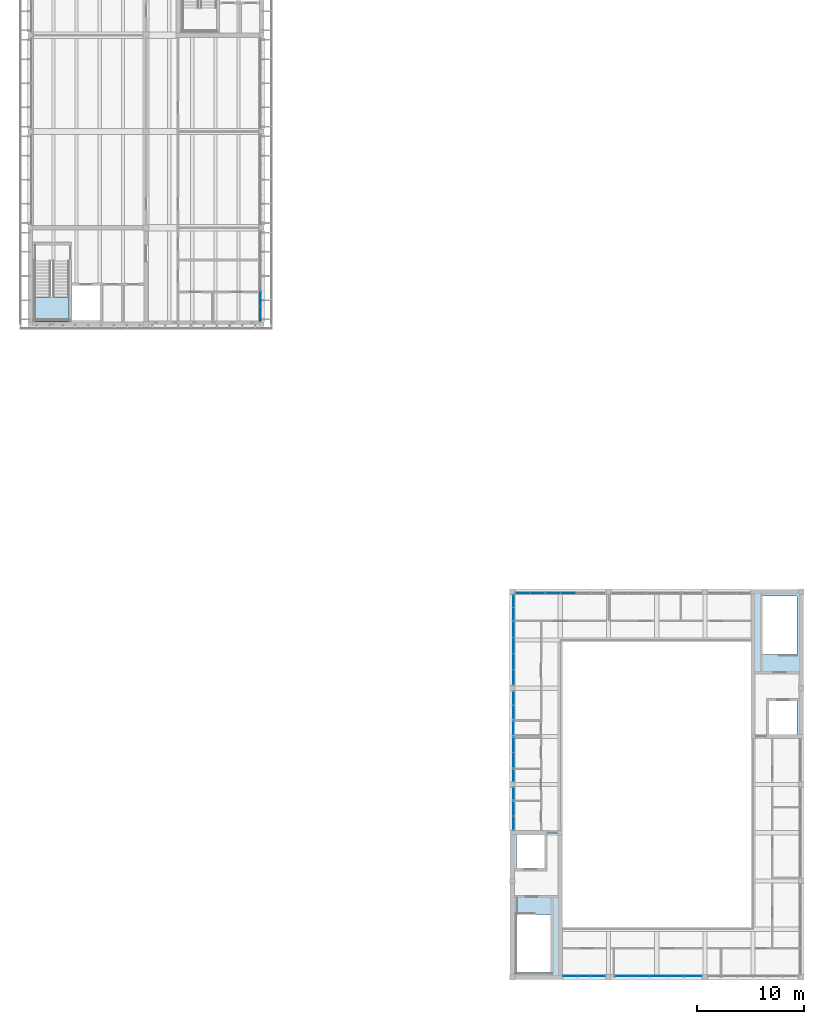
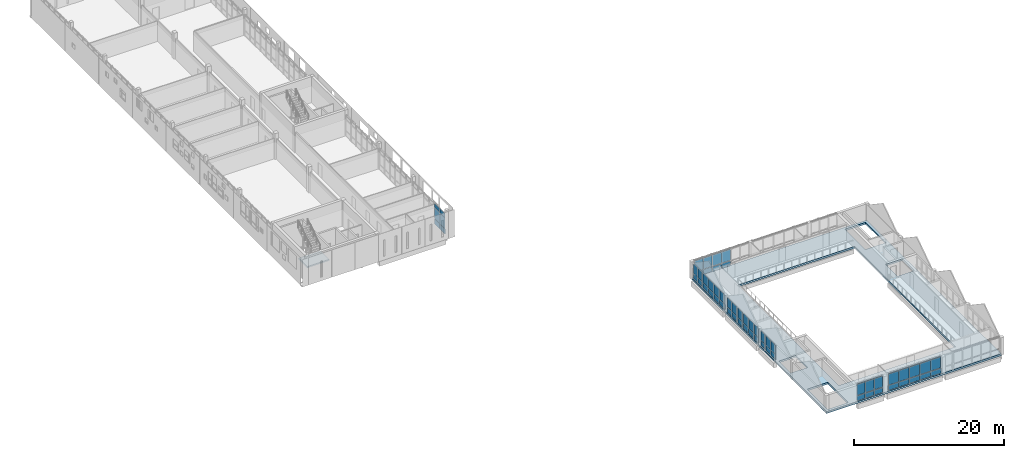
# One storey, part 21 of 50: 60 plates, 2 slabs, 13 elements without a shape of their own.
"""IFC4 building model written with IfcOpenShell, lengths in metres."""

from ifc_helpers import new_model, si_unit, direction, frame, origin, origin_2d, place, context, subcontext, project, spatial, polyline, rectangle, outline, extrude, material, layer, layer_set, type_object, element, aggregate, save


model = new_model("IFC4")

# Units and contexts
model_context = context("Model", 3, precision=1e-05, world=origin(), true_north=direction((0.0, 1.0)))
body_context = subcontext(model_context, "Body", "Model", "MODEL_VIEW")
ifc_project = project(units=[si_unit("LENGTHUNIT", "METRE"), si_unit("AREAUNIT", "SQUARE_METRE"), si_unit("VOLUMEUNIT", "CUBIC_METRE"), si_unit("PLANEANGLEUNIT", "RADIAN"), si_unit("MASSUNIT", "GRAM", prefix="KILO")], contexts=[model_context])

# Site, building, storey
site_placement = place(None, origin())
site = spatial("IfcSite", under=ifc_project, at=site_placement, CompositionType="ELEMENT")
building_placement = place(site_placement, origin())
building = spatial("IfcBuilding", under=site, at=building_placement, Name="Merrow Basin Faculty of Sciences", CompositionType="ELEMENT")
storey_placement = place(building_placement, frame((0.0, 0.0, 18.0)))
storey = spatial("IfcBuildingStorey", under=building, at=storey_placement, Name="L04", CompositionType="ELEMENT", Elevation=18.0)

# Curtain wall, plates
ifc_material_1 = material(Name="Aluminium alloy 6063", Category="aluminium")
curtain_wall_type_1 = type_object("IfcCurtainWallType", Name="Atrium unitised curtain wall 240", PredefinedType="NOTDEFINED", material=ifc_material_1)
curtain_wall_1_placement = place(storey_placement, origin())
curtain_wall_1 = element("IfcCurtainWall", 1, at=curtain_wall_1_placement, inside=storey, type_object=curtain_wall_type_1, Name="W curtain wall L04 1", PredefinedType="NOTDEFINED")
ifc_material_2 = material(Name="Low-E double glazing", Category="glass")
ifc_layer_1 = layer(ifc_material_2, 0.031982421875)
ifc_layer_set_1 = layer_set([ifc_layer_1], Name="Acoustic double glazed panel 32")
plate_type_1 = type_object("IfcPlateType", Name="Acoustic double glazed panel 32", PredefinedType="CURTAIN_PANEL", material=ifc_layer_set_1)
plate_1_placement = place(storey_placement, frame((45.1201171875, 14.402587890625, 0.929931640625), z_axis=(0.0, 0.0, 1.0), x_axis=(0.0, 1.0, 0.0)))
plate_1 = element("IfcPlate", 2, at=plate_1_placement, type_object=plate_type_1, Name="CW5 panel 1.2", PredefinedType="CURTAIN_PANEL", context=body_context, shape_type="SweptSolid", body=[
    extrude(rectangle(XDim=1.284912109375, YDim=0.031982421875, at=origin_2d()), origin(), (0.0, 0.0, 1.0), 1.52294921875),
])
plate_2_placement = place(storey_placement, frame((45.1201171875, 15.74755859375, 0.929931640625), z_axis=(0.0, 0.0, 1.0), x_axis=(0.0, 1.0, 0.0)))
plate_2 = element("IfcPlate", 3, at=plate_2_placement, type_object=plate_type_1, Name="CW5 panel 2.2", PredefinedType="CURTAIN_PANEL", context=body_context, shape_type="SweptSolid", body=[
    extrude(rectangle(XDim=1.284912109375, YDim=0.031982421875, at=origin_2d()), origin(), (0.0, 0.0, 1.0), 1.52294921875),
])

# Curtain wall, plate
curtain_wall_2_placement = place(storey_placement, origin())
curtain_wall_2 = element("IfcCurtainWall", 4, at=curtain_wall_2_placement, inside=storey, type_object=curtain_wall_type_1, Name="W curtain wall L04 2", PredefinedType="NOTDEFINED")
plate_3_placement = place(storey_placement, frame((45.1201171875, 17.14990234375, 0.929931640625), z_axis=(0.0, 0.0, 1.0), x_axis=(0.0, 1.0, 0.0)))
plate_3 = element("IfcPlate", 5, at=plate_3_placement, type_object=plate_type_1, Name="CW5 panel 1.2", PredefinedType="CURTAIN_PANEL", context=body_context, shape_type="SweptSolid", body=[
    extrude(rectangle(XDim=1.080078125, YDim=0.031982421875, at=origin_2d()), origin(), (0.0, 0.0, 1.0), 1.52294921875),
])

curtain_wall_3_placement = place(storey_placement, origin())
curtain_wall_3 = element("IfcCurtainWall", 6, at=curtain_wall_3_placement, inside=storey, type_object=curtain_wall_type_1, Name="W curtain wall L04 3", PredefinedType="NOTDEFINED")
plate_4_placement = place(storey_placement, frame((45.1201171875, 18.85009765625, 0.929931640625), z_axis=(0.0, 0.0, 1.0), x_axis=(0.0, 1.0, 0.0)))
plate_4 = element("IfcPlate", 7, at=plate_4_placement, type_object=plate_type_1, Name="CW5 panel 1.2", PredefinedType="CURTAIN_PANEL", context=body_context, shape_type="SweptSolid", body=[
    extrude(rectangle(XDim=1.080078125, YDim=0.031982421875, at=origin_2d()), origin(), (0.0, 0.0, 1.0), 1.52294921875),
])

# Curtain wall, plates
curtain_wall_4_placement = place(storey_placement, origin())
curtain_wall_4 = element("IfcCurtainWall", 8, at=curtain_wall_4_placement, inside=storey, type_object=curtain_wall_type_1, Name="W curtain wall L04 4", PredefinedType="NOTDEFINED")
plate_5_placement = place(storey_placement, frame((45.1201171875, 20.28369140625, 0.929931640625), z_axis=(0.0, 0.0, 1.0), x_axis=(0.0, 1.0, 0.0)))
plate_5 = element("IfcPlate", 9, at=plate_5_placement, type_object=plate_type_1, Name="CW5 panel 1.2", PredefinedType="CURTAIN_PANEL", context=body_context, shape_type="SweptSolid", body=[
    extrude(rectangle(XDim=1.347412109375, YDim=0.031982421875, at=origin_2d()), origin(), (0.0, 0.0, 1.0), 1.52294921875),
])
plate_6_placement = place(storey_placement, frame((45.1201171875, 21.691162109375, 0.929931640625), z_axis=(0.0, 0.0, 1.0), x_axis=(0.0, 1.0, 0.0)))
plate_6 = element("IfcPlate", 10, at=plate_6_placement, type_object=plate_type_1, Name="CW5 panel 2.2", PredefinedType="CURTAIN_PANEL", context=body_context, shape_type="SweptSolid", body=[
    extrude(rectangle(XDim=1.347412109375, YDim=0.031982421875, at=origin_2d()), origin(), (0.0, 0.0, 1.0), 1.52294921875),
])

# Curtain wall, plate
curtain_wall_5_placement = place(storey_placement, origin())
curtain_wall_5 = element("IfcCurtainWall", 11, at=curtain_wall_5_placement, inside=storey, type_object=curtain_wall_type_1, Name="W curtain wall L04 5", PredefinedType="NOTDEFINED")
plate_7_placement = place(storey_placement, frame((45.1201171875, 23.25, 0.929931640625), z_axis=(0.0, 0.0, 1.0), x_axis=(0.0, 1.0, 0.0)))
plate_7 = element("IfcPlate", 12, at=plate_7_placement, type_object=plate_type_1, Name="CW5 panel 1.2", PredefinedType="CURTAIN_PANEL", context=body_context, shape_type="SweptSolid", body=[
    extrude(rectangle(XDim=1.22998046875, YDim=0.031982421875, at=origin_2d()), origin(), (0.0, 0.0, 1.0), 1.52294921875),
])

# Curtain wall, plates
curtain_wall_6_placement = place(storey_placement, origin())
curtain_wall_6 = element("IfcCurtainWall", 13, at=curtain_wall_6_placement, inside=storey, type_object=curtain_wall_type_1, Name="W curtain wall L04 6", PredefinedType="NOTDEFINED")
plate_8_placement = place(storey_placement, frame((45.1201171875, 24.7587890625, 0.929931640625), z_axis=(0.0, 0.0, 1.0), x_axis=(0.0, 1.0, 0.0)))
plate_8 = element("IfcPlate", 14, at=plate_8_placement, type_object=plate_type_1, Name="CW5 panel 1.2", PredefinedType="CURTAIN_PANEL", context=body_context, shape_type="SweptSolid", body=[
    extrude(rectangle(XDim=1.24755859375, YDim=0.031982421875, at=origin_2d()), origin(), (0.0, 0.0, 1.0), 1.52294921875),
])
plate_9_placement = place(storey_placement, frame((45.1201171875, 26.066162109375, 0.929931640625), z_axis=(0.0, 0.0, 1.0), x_axis=(0.0, 1.0, 0.0)))
plate_9 = element("IfcPlate", 15, at=plate_9_placement, type_object=plate_type_1, Name="CW5 panel 2.2", PredefinedType="CURTAIN_PANEL", context=body_context, shape_type="SweptSolid", body=[
    extrude(rectangle(XDim=1.24755859375, YDim=0.031982421875, at=origin_2d()), origin(), (0.0, 0.0, 1.0), 1.52294921875),
])

curtain_wall_7_placement = place(storey_placement, origin())
curtain_wall_7 = element("IfcCurtainWall", 16, at=curtain_wall_7_placement, inside=storey, type_object=curtain_wall_type_1, Name="W curtain wall L04 7", PredefinedType="NOTDEFINED")
plate_10_placement = place(storey_placement, frame((45.1201171875, 28.014892578125, 0.929931640625), z_axis=(0.0, 0.0, 1.0), x_axis=(0.0, 1.0, 0.0)))
plate_10 = element("IfcPlate", 17, at=plate_10_placement, type_object=plate_type_1, Name="CW5 panel 1.2", PredefinedType="CURTAIN_PANEL", context=body_context, shape_type="SweptSolid", body=[
    extrude(rectangle(XDim=1.409912109375, YDim=0.031982421875, at=origin_2d()), origin(), (0.0, 0.0, 1.0), 1.52294921875),
])
plate_11_placement = place(storey_placement, frame((45.1201171875, 29.5, 0.929931640625), z_axis=(0.0, 0.0, 1.0), x_axis=(0.0, 1.0, 0.0)))
plate_11 = element("IfcPlate", 18, at=plate_11_placement, type_object=plate_type_1, Name="CW5 panel 2.2", PredefinedType="CURTAIN_PANEL", context=body_context, shape_type="SweptSolid", body=[
    extrude(rectangle(XDim=1.43994140625, YDim=0.031982421875, at=origin_2d()), origin(), (0.0, 0.0, 1.0), 1.52294921875),
])
plate_12_placement = place(storey_placement, frame((45.1201171875, 31.0, 0.929931640625), z_axis=(0.0, 0.0, 1.0), x_axis=(0.0, 1.0, 0.0)))
plate_12 = element("IfcPlate", 19, at=plate_12_placement, type_object=plate_type_1, Name="CW5 panel 3.2", PredefinedType="CURTAIN_PANEL", context=body_context, shape_type="SweptSolid", body=[
    extrude(rectangle(XDim=1.43994140625, YDim=0.031982421875, at=origin_2d()), origin(), (0.0, 0.0, 1.0), 1.52294921875),
])
plate_13_placement = place(storey_placement, frame((45.1201171875, 32.485107421875, 0.929931640625), z_axis=(0.0, 0.0, 1.0), x_axis=(0.0, 1.0, 0.0)))
plate_13 = element("IfcPlate", 20, at=plate_13_placement, type_object=plate_type_1, Name="CW5 panel 4.2", PredefinedType="CURTAIN_PANEL", context=body_context, shape_type="SweptSolid", body=[
    extrude(rectangle(XDim=1.409912109375, YDim=0.031982421875, at=origin_2d()), origin(), (0.0, 0.0, 1.0), 1.52294921875),
])

curtain_wall_8_placement = place(storey_placement, origin())
curtain_wall_8 = element("IfcCurtainWall", 21, at=curtain_wall_8_placement, inside=storey, type_object=curtain_wall_type_1, Name="W curtain wall L04 8", PredefinedType="NOTDEFINED")
plate_14_placement = place(storey_placement, frame((45.1201171875, 33.965087890625, 0.929931640625), z_axis=(0.0, 0.0, 1.0), x_axis=(0.0, 1.0, 0.0)))
plate_14 = element("IfcPlate", 22, at=plate_14_placement, type_object=plate_type_1, Name="CW5 panel 1.2", PredefinedType="CURTAIN_PANEL", context=body_context, shape_type="SweptSolid", body=[
    extrude(rectangle(XDim=1.110107421875, YDim=0.031982421875, at=origin_2d()), origin(), (0.0, 0.0, 1.0), 1.52294921875),
])
plate_15_placement = place(storey_placement, frame((45.1201171875, 35.135009765625, 0.929931640625), z_axis=(0.0, 0.0, 1.0), x_axis=(0.0, 1.0, 0.0)))
plate_15 = element("IfcPlate", 23, at=plate_15_placement, type_object=plate_type_1, Name="CW5 panel 2.2", PredefinedType="CURTAIN_PANEL", context=body_context, shape_type="SweptSolid", body=[
    extrude(rectangle(XDim=1.110107421875, YDim=0.031982421875, at=origin_2d()), origin(), (0.0, 0.0, 1.0), 1.52294921875),
])

curtain_wall_9_placement = place(storey_placement, origin())
curtain_wall_9 = element("IfcCurtainWall", 24, at=curtain_wall_9_placement, inside=storey, type_object=curtain_wall_type_1, Name="N curtain wall L04 1", PredefinedType="NOTDEFINED")
plate_16_placement = place(storey_placement, frame((45.973388671875, 35.8798828125, 0.93017578125), z_axis=(0.0, 0.0, 1.0), x_axis=(1.0, 0.0, 0.0)))
plate_16 = element("IfcPlate", 25, at=plate_16_placement, type_object=plate_type_1, Name="CW5 panel 1.2", PredefinedType="CURTAIN_PANEL", context=body_context, shape_type="SweptSolid", body=[
    extrude(rectangle(XDim=1.32666015625, YDim=0.031982421875, at=origin_2d()), origin(), (0.0, 0.0, 1.0), 1.822998046875),
])
plate_17_placement = place(storey_placement, frame((47.375, 35.8798828125, 0.93017578125), z_axis=(0.0, 0.0, 1.0), x_axis=(1.0, 0.0, 0.0)))
plate_17 = element("IfcPlate", 26, at=plate_17_placement, type_object=plate_type_1, Name="CW5 panel 2.2", PredefinedType="CURTAIN_PANEL", context=body_context, shape_type="SweptSolid", body=[
    extrude(rectangle(XDim=1.356689453125, YDim=0.031982421875, at=origin_2d()), origin(), (0.0, 0.0, 1.0), 1.822998046875),
])
plate_18_placement = place(storey_placement, frame((48.791748046875, 35.8798828125, 0.93017578125), z_axis=(0.0, 0.0, 1.0), x_axis=(1.0, 0.0, 0.0)))
plate_18 = element("IfcPlate", 27, at=plate_18_placement, type_object=plate_type_1, Name="CW5 panel 3.2", PredefinedType="CURTAIN_PANEL", context=body_context, shape_type="SweptSolid", body=[
    extrude(rectangle(XDim=1.356689453125, YDim=0.031982421875, at=origin_2d()), origin(), (0.0, 0.0, 1.0), 1.822998046875),
])
plate_19_placement = place(storey_placement, frame((50.208251953125, 35.8798828125, 0.93017578125), z_axis=(0.0, 0.0, 1.0), x_axis=(1.0, 0.0, 0.0)))
plate_19 = element("IfcPlate", 28, at=plate_19_placement, type_object=plate_type_1, Name="CW5 panel 4.2", PredefinedType="CURTAIN_PANEL", context=body_context, shape_type="SweptSolid", body=[
    extrude(rectangle(XDim=1.356689453125, YDim=0.031982421875, at=origin_2d()), origin(), (0.0, 0.0, 1.0), 1.822998046875),
])

curtain_wall_10_placement = place(storey_placement, origin())
curtain_wall_10 = element("IfcCurtainWall", 29, at=curtain_wall_10_placement, inside=storey, type_object=curtain_wall_type_1, Name="S curtain wall L04 1", PredefinedType="NOTDEFINED")
plate_20_placement = place(storey_placement, frame((50.389892578125, 0.1201171875, 0.93017578125), z_axis=(0.0, 0.0, 1.0), x_axis=(1.0, 0.0, 0.0)))
plate_20 = element("IfcPlate", 30, at=plate_20_placement, type_object=plate_type_1, Name="CW5 panel 1.2", PredefinedType="CURTAIN_PANEL", context=body_context, shape_type="SweptSolid", body=[
    extrude(rectangle(XDim=1.260009765625, YDim=0.031982421875, at=origin_2d()), origin(), (0.0, 0.0, 1.0), 1.822998046875),
])
plate_21_placement = place(storey_placement, frame((51.72509765625, 0.1201171875, 0.93017578125), z_axis=(0.0, 0.0, 1.0), x_axis=(1.0, 0.0, 0.0)))
plate_21 = element("IfcPlate", 31, at=plate_21_placement, type_object=plate_type_1, Name="CW5 panel 2.2", PredefinedType="CURTAIN_PANEL", context=body_context, shape_type="SweptSolid", body=[
    extrude(rectangle(XDim=1.2900390625, YDim=0.031982421875, at=origin_2d()), origin(), (0.0, 0.0, 1.0), 1.822998046875),
])
plate_22_placement = place(storey_placement, frame((53.06005859375, 0.1201171875, 0.93017578125), z_axis=(0.0, 0.0, 1.0), x_axis=(1.0, 0.0, 0.0)))
plate_22 = element("IfcPlate", 32, at=plate_22_placement, type_object=plate_type_1, Name="CW5 panel 3.2", PredefinedType="CURTAIN_PANEL", context=body_context, shape_type="SweptSolid", body=[
    extrude(rectangle(XDim=1.260009765625, YDim=0.031982421875, at=origin_2d()), origin(), (0.0, 0.0, 1.0), 1.822998046875),
])

curtain_wall_11_placement = place(storey_placement, origin())
curtain_wall_11 = element("IfcCurtainWall", 33, at=curtain_wall_11_placement, inside=storey, type_object=curtain_wall_type_1, Name="S curtain wall L04 2", PredefinedType="NOTDEFINED")
plate_23_placement = place(storey_placement, frame((55.385009765625, 0.1201171875, 0.93017578125), z_axis=(0.0, 0.0, 1.0), x_axis=(1.0, 0.0, 0.0)))
plate_23 = element("IfcPlate", 34, at=plate_23_placement, type_object=plate_type_1, Name="CW5 panel 1.2", PredefinedType="CURTAIN_PANEL", context=body_context, shape_type="SweptSolid", body=[
    extrude(rectangle(XDim=1.550048828125, YDim=0.031982421875, at=origin_2d()), origin(), (0.0, 0.0, 1.0), 1.822998046875),
])
plate_24_placement = place(storey_placement, frame((57.010009765625, 0.1201171875, 0.93017578125), z_axis=(0.0, 0.0, 1.0), x_axis=(1.0, 0.0, 0.0)))
plate_24 = element("IfcPlate", 35, at=plate_24_placement, type_object=plate_type_1, Name="CW5 panel 2.2", PredefinedType="CURTAIN_PANEL", context=body_context, shape_type="SweptSolid", body=[
    extrude(rectangle(XDim=1.580078125, YDim=0.031982421875, at=origin_2d()), origin(), (0.0, 0.0, 1.0), 1.822998046875),
])
plate_25_placement = place(storey_placement, frame((58.64990234375, 0.1201171875, 0.93017578125), z_axis=(0.0, 0.0, 1.0), x_axis=(1.0, 0.0, 0.0)))
plate_25 = element("IfcPlate", 36, at=plate_25_placement, type_object=plate_type_1, Name="CW5 panel 3.2", PredefinedType="CURTAIN_PANEL", context=body_context, shape_type="SweptSolid", body=[
    extrude(rectangle(XDim=1.580078125, YDim=0.031982421875, at=origin_2d()), origin(), (0.0, 0.0, 1.0), 1.822998046875),
])
plate_26_placement = place(storey_placement, frame((60.2900390625, 0.1201171875, 0.93017578125), z_axis=(0.0, 0.0, 1.0), x_axis=(1.0, 0.0, 0.0)))
plate_26 = element("IfcPlate", 37, at=plate_26_placement, type_object=plate_type_1, Name="CW5 panel 4.2", PredefinedType="CURTAIN_PANEL", context=body_context, shape_type="SweptSolid", body=[
    extrude(rectangle(XDim=1.580078125, YDim=0.031982421875, at=origin_2d()), origin(), (0.0, 0.0, 1.0), 1.822998046875),
])
plate_27_placement = place(storey_placement, frame((61.9150390625, 0.1201171875, 0.93017578125), z_axis=(0.0, 0.0, 1.0), x_axis=(1.0, 0.0, 0.0)))
plate_27 = element("IfcPlate", 38, at=plate_27_placement, type_object=plate_type_1, Name="CW5 panel 5.2", PredefinedType="CURTAIN_PANEL", context=body_context, shape_type="SweptSolid", body=[
    extrude(rectangle(XDim=1.550048828125, YDim=0.031982421875, at=origin_2d()), origin(), (0.0, 0.0, 1.0), 1.822998046875),
])

# Slab
ifc_material_3 = material(Name="Concrete C40/50", Category="concrete")
ifc_layer_2 = layer(ifc_material_3, 0.300048828125)
ifc_layer_set_2 = layer_set([ifc_layer_2], Name="Floor slab 300 Concrete C40/50")
slab_type_1 = type_object("IfcSlabType", Name="Floor slab 300 Concrete C40/50", PredefinedType="FLOOR", material=ifc_layer_set_2)
slab_1_placement = place(storey_placement, frame((0.0, 0.0, -0.300048828125)))
element("IfcSlab", 39, at=slab_1_placement, inside=storey, type_object=slab_type_1, Name="SL11 floor L04 001", PredefinedType="FLOOR", context=body_context, shape_type="SweptSolid", body=[
    extrude(outline(polyline([(72.0, 36.0), (72.0, 0.0), (45.0, 0.0), (45.0, 36.0), (72.0, 36.0)]), holes=[polyline([(71.60009765625, 22.60009765625), (71.60009765625, 25.800048828125), (69.0, 25.800048828125), (69.0, 22.60009765625), (71.60009765625, 22.60009765625)]), polyline([(71.60009765625, 30.14990234375), (71.60009765625, 35.60009765625), (68.39990234375, 35.60009765625), (68.39990234375, 30.14990234375), (71.60009765625, 30.14990234375)]), polyline([(49.5, 4.5), (67.5, 4.5), (67.5, 31.5), (49.5, 31.5), (49.5, 4.5)]), polyline([(48.60009765625, 0.39990234375), (48.60009765625, 5.85009765625), (45.39990234375, 5.85009765625), (45.39990234375, 0.39990234375), (48.60009765625, 0.39990234375)]), polyline([(48.0, 10.199951171875), (48.0, 13.39990234375), (45.39990234375, 13.39990234375), (45.39990234375, 10.199951171875), (48.0, 10.199951171875)])]), origin(), (0.0, 0.0, 1.0), 0.300048828125),
])

# Curtain wall, plates
ifc_material_4 = material(Name="Aluminium alloy 6063", Category="aluminium")
curtain_wall_type_2 = type_object("IfcCurtainWallType", Name="Bar unitised curtain wall 180", PredefinedType="NOTDEFINED", material=ifc_material_4)
curtain_wall_12_placement = place(storey_placement, origin())
curtain_wall_12 = element("IfcCurtainWall", 40, at=curtain_wall_12_placement, inside=storey, type_object=curtain_wall_type_2, Name="East curtain wall L04 1", PredefinedType="NOTDEFINED")
ifc_material_5 = material(Name="Insulated aluminium spandrel panel", Category="aluminium")
ifc_layer_3 = layer(ifc_material_5, 0.052001953125)
ifc_layer_set_3 = layer_set([ifc_layer_3], Name="Insulated spandrel panel 52")
plate_type_2 = type_object("IfcPlateType", Name="Insulated spandrel panel 52", PredefinedType="CURTAIN_PANEL", material=ifc_layer_set_3)
plate_28_placement = place(storey_placement, frame((21.510009765625, 61.952392578125, 0.06005859375), z_axis=(0.0, 0.0, 1.0), x_axis=(0.0, 1.0, 0.0)))
plate_28 = element("IfcPlate", 41, at=plate_28_placement, type_object=plate_type_2, Name="CW1 panel 1.1", PredefinedType="CURTAIN_PANEL", context=body_context, shape_type="SweptSolid", body=[
    extrude(rectangle(XDim=1.3349609375, YDim=0.052001953125, at=origin_2d()), origin(), (0.0, 0.0, 1.0), 0.81005859375),
])
plate_29_placement = place(storey_placement, frame((21.510009765625, 63.362548828125, 0.06005859375), z_axis=(0.0, 0.0, 1.0), x_axis=(0.0, 1.0, 0.0)))
plate_29 = element("IfcPlate", 42, at=plate_29_placement, type_object=plate_type_2, Name="CW1 panel 2.1", PredefinedType="CURTAIN_PANEL", context=body_context, shape_type="SweptSolid", body=[
    extrude(rectangle(XDim=1.364990234375, YDim=0.052001953125, at=origin_2d()), origin(), (0.0, 0.0, 1.0), 0.81005859375),
])

# Plate
plate_30_placement = place(storey_placement, frame((45.1201171875, 14.402587890625, 0.06005859375), z_axis=(0.0, 0.0, 1.0), x_axis=(0.0, 1.0, 0.0)))
plate_30 = element("IfcPlate", 43, at=plate_30_placement, type_object=plate_type_2, Name="CW5 panel 1.1", PredefinedType="CURTAIN_PANEL", context=body_context, shape_type="SweptSolid", body=[
    extrude(rectangle(XDim=1.284912109375, YDim=0.052001953125, at=origin_2d()), origin(), (0.0, 0.0, 1.0), 0.81005859375),
])

plate_31_placement = place(storey_placement, frame((45.1201171875, 15.74755859375, 0.06005859375), z_axis=(0.0, 0.0, 1.0), x_axis=(0.0, 1.0, 0.0)))
plate_31 = element("IfcPlate", 44, at=plate_31_placement, type_object=plate_type_2, Name="CW5 panel 2.1", PredefinedType="CURTAIN_PANEL", context=body_context, shape_type="SweptSolid", body=[
    extrude(rectangle(XDim=1.284912109375, YDim=0.052001953125, at=origin_2d()), origin(), (0.0, 0.0, 1.0), 0.81005859375),
])

aggregate(curtain_wall_1, [plate_30, plate_1, plate_31, plate_2])

plate_32_placement = place(storey_placement, frame((45.1201171875, 17.14990234375, 0.06005859375), z_axis=(0.0, 0.0, 1.0), x_axis=(0.0, 1.0, 0.0)))
plate_32 = element("IfcPlate", 45, at=plate_32_placement, type_object=plate_type_2, Name="CW5 panel 1.1", PredefinedType="CURTAIN_PANEL", context=body_context, shape_type="SweptSolid", body=[
    extrude(rectangle(XDim=1.080078125, YDim=0.052001953125, at=origin_2d()), origin(), (0.0, 0.0, 1.0), 0.81005859375),
])

aggregate(curtain_wall_2, [plate_32, plate_3])

plate_33_placement = place(storey_placement, frame((45.1201171875, 18.85009765625, 0.06005859375), z_axis=(0.0, 0.0, 1.0), x_axis=(0.0, 1.0, 0.0)))
plate_33 = element("IfcPlate", 46, at=plate_33_placement, type_object=plate_type_2, Name="CW5 panel 1.1", PredefinedType="CURTAIN_PANEL", context=body_context, shape_type="SweptSolid", body=[
    extrude(rectangle(XDim=1.080078125, YDim=0.052001953125, at=origin_2d()), origin(), (0.0, 0.0, 1.0), 0.81005859375),
])

aggregate(curtain_wall_3, [plate_33, plate_4])

plate_34_placement = place(storey_placement, frame((45.1201171875, 20.28369140625, 0.06005859375), z_axis=(0.0, 0.0, 1.0), x_axis=(0.0, 1.0, 0.0)))
plate_34 = element("IfcPlate", 47, at=plate_34_placement, type_object=plate_type_2, Name="CW5 panel 1.1", PredefinedType="CURTAIN_PANEL", context=body_context, shape_type="SweptSolid", body=[
    extrude(rectangle(XDim=1.347412109375, YDim=0.052001953125, at=origin_2d()), origin(), (0.0, 0.0, 1.0), 0.81005859375),
])

plate_35_placement = place(storey_placement, frame((45.1201171875, 21.691162109375, 0.06005859375), z_axis=(0.0, 0.0, 1.0), x_axis=(0.0, 1.0, 0.0)))
plate_35 = element("IfcPlate", 48, at=plate_35_placement, type_object=plate_type_2, Name="CW5 panel 2.1", PredefinedType="CURTAIN_PANEL", context=body_context, shape_type="SweptSolid", body=[
    extrude(rectangle(XDim=1.347412109375, YDim=0.052001953125, at=origin_2d()), origin(), (0.0, 0.0, 1.0), 0.81005859375),
])

aggregate(curtain_wall_4, [plate_34, plate_5, plate_35, plate_6])

plate_36_placement = place(storey_placement, frame((45.1201171875, 23.25, 0.06005859375), z_axis=(0.0, 0.0, 1.0), x_axis=(0.0, 1.0, 0.0)))
plate_36 = element("IfcPlate", 49, at=plate_36_placement, type_object=plate_type_2, Name="CW5 panel 1.1", PredefinedType="CURTAIN_PANEL", context=body_context, shape_type="SweptSolid", body=[
    extrude(rectangle(XDim=1.22998046875, YDim=0.052001953125, at=origin_2d()), origin(), (0.0, 0.0, 1.0), 0.81005859375),
])

aggregate(curtain_wall_5, [plate_36, plate_7])

plate_37_placement = place(storey_placement, frame((45.1201171875, 24.7587890625, 0.06005859375), z_axis=(0.0, 0.0, 1.0), x_axis=(0.0, 1.0, 0.0)))
plate_37 = element("IfcPlate", 50, at=plate_37_placement, type_object=plate_type_2, Name="CW5 panel 1.1", PredefinedType="CURTAIN_PANEL", context=body_context, shape_type="SweptSolid", body=[
    extrude(rectangle(XDim=1.24755859375, YDim=0.052001953125, at=origin_2d()), origin(), (0.0, 0.0, 1.0), 0.81005859375),
])

plate_38_placement = place(storey_placement, frame((45.1201171875, 26.066162109375, 0.06005859375), z_axis=(0.0, 0.0, 1.0), x_axis=(0.0, 1.0, 0.0)))
plate_38 = element("IfcPlate", 51, at=plate_38_placement, type_object=plate_type_2, Name="CW5 panel 2.1", PredefinedType="CURTAIN_PANEL", context=body_context, shape_type="SweptSolid", body=[
    extrude(rectangle(XDim=1.24755859375, YDim=0.052001953125, at=origin_2d()), origin(), (0.0, 0.0, 1.0), 0.81005859375),
])

aggregate(curtain_wall_6, [plate_37, plate_8, plate_38, plate_9])

plate_39_placement = place(storey_placement, frame((45.1201171875, 28.014892578125, 0.06005859375), z_axis=(0.0, 0.0, 1.0), x_axis=(0.0, 1.0, 0.0)))
plate_39 = element("IfcPlate", 52, at=plate_39_placement, type_object=plate_type_2, Name="CW5 panel 1.1", PredefinedType="CURTAIN_PANEL", context=body_context, shape_type="SweptSolid", body=[
    extrude(rectangle(XDim=1.409912109375, YDim=0.052001953125, at=origin_2d()), origin(), (0.0, 0.0, 1.0), 0.81005859375),
])

plate_40_placement = place(storey_placement, frame((45.1201171875, 29.5, 0.06005859375), z_axis=(0.0, 0.0, 1.0), x_axis=(0.0, 1.0, 0.0)))
plate_40 = element("IfcPlate", 53, at=plate_40_placement, type_object=plate_type_2, Name="CW5 panel 2.1", PredefinedType="CURTAIN_PANEL", context=body_context, shape_type="SweptSolid", body=[
    extrude(rectangle(XDim=1.43994140625, YDim=0.052001953125, at=origin_2d()), origin(), (0.0, 0.0, 1.0), 0.81005859375),
])

plate_41_placement = place(storey_placement, frame((45.1201171875, 31.0, 0.06005859375), z_axis=(0.0, 0.0, 1.0), x_axis=(0.0, 1.0, 0.0)))
plate_41 = element("IfcPlate", 54, at=plate_41_placement, type_object=plate_type_2, Name="CW5 panel 3.1", PredefinedType="CURTAIN_PANEL", context=body_context, shape_type="SweptSolid", body=[
    extrude(rectangle(XDim=1.43994140625, YDim=0.052001953125, at=origin_2d()), origin(), (0.0, 0.0, 1.0), 0.81005859375),
])

plate_42_placement = place(storey_placement, frame((45.1201171875, 32.485107421875, 0.06005859375), z_axis=(0.0, 0.0, 1.0), x_axis=(0.0, 1.0, 0.0)))
plate_42 = element("IfcPlate", 55, at=plate_42_placement, type_object=plate_type_2, Name="CW5 panel 4.1", PredefinedType="CURTAIN_PANEL", context=body_context, shape_type="SweptSolid", body=[
    extrude(rectangle(XDim=1.409912109375, YDim=0.052001953125, at=origin_2d()), origin(), (0.0, 0.0, 1.0), 0.81005859375),
])

aggregate(curtain_wall_7, [plate_39, plate_10, plate_40, plate_11, plate_41, plate_12, plate_42, plate_13])

plate_43_placement = place(storey_placement, frame((45.1201171875, 33.965087890625, 0.06005859375), z_axis=(0.0, 0.0, 1.0), x_axis=(0.0, 1.0, 0.0)))
plate_43 = element("IfcPlate", 56, at=plate_43_placement, type_object=plate_type_2, Name="CW5 panel 1.1", PredefinedType="CURTAIN_PANEL", context=body_context, shape_type="SweptSolid", body=[
    extrude(rectangle(XDim=1.110107421875, YDim=0.052001953125, at=origin_2d()), origin(), (0.0, 0.0, 1.0), 0.81005859375),
])

plate_44_placement = place(storey_placement, frame((45.1201171875, 35.135009765625, 0.06005859375), z_axis=(0.0, 0.0, 1.0), x_axis=(0.0, 1.0, 0.0)))
plate_44 = element("IfcPlate", 57, at=plate_44_placement, type_object=plate_type_2, Name="CW5 panel 2.1", PredefinedType="CURTAIN_PANEL", context=body_context, shape_type="SweptSolid", body=[
    extrude(rectangle(XDim=1.110107421875, YDim=0.052001953125, at=origin_2d()), origin(), (0.0, 0.0, 1.0), 0.81005859375),
])

aggregate(curtain_wall_8, [plate_43, plate_14, plate_44, plate_15])

plate_45_placement = place(storey_placement, frame((45.973388671875, 35.8798828125, 0.06005859375), z_axis=(0.0, 0.0, 1.0), x_axis=(1.0, 0.0, 0.0)))
plate_45 = element("IfcPlate", 58, at=plate_45_placement, type_object=plate_type_2, Name="CW5 panel 1.1", PredefinedType="CURTAIN_PANEL", context=body_context, shape_type="SweptSolid", body=[
    extrude(rectangle(XDim=1.32666015625, YDim=0.052001953125, at=origin_2d()), origin(), (0.0, 0.0, 1.0), 0.81005859375),
])

plate_46_placement = place(storey_placement, frame((47.375, 35.8798828125, 0.06005859375), z_axis=(0.0, 0.0, 1.0), x_axis=(1.0, 0.0, 0.0)))
plate_46 = element("IfcPlate", 59, at=plate_46_placement, type_object=plate_type_2, Name="CW5 panel 2.1", PredefinedType="CURTAIN_PANEL", context=body_context, shape_type="SweptSolid", body=[
    extrude(rectangle(XDim=1.356689453125, YDim=0.052001953125, at=origin_2d()), origin(), (0.0, 0.0, 1.0), 0.81005859375),
])

plate_47_placement = place(storey_placement, frame((48.791748046875, 35.8798828125, 0.06005859375), z_axis=(0.0, 0.0, 1.0), x_axis=(1.0, 0.0, 0.0)))
plate_47 = element("IfcPlate", 60, at=plate_47_placement, type_object=plate_type_2, Name="CW5 panel 3.1", PredefinedType="CURTAIN_PANEL", context=body_context, shape_type="SweptSolid", body=[
    extrude(rectangle(XDim=1.356689453125, YDim=0.052001953125, at=origin_2d()), origin(), (0.0, 0.0, 1.0), 0.81005859375),
])

plate_48_placement = place(storey_placement, frame((50.208251953125, 35.8798828125, 0.06005859375), z_axis=(0.0, 0.0, 1.0), x_axis=(1.0, 0.0, 0.0)))
plate_48 = element("IfcPlate", 61, at=plate_48_placement, type_object=plate_type_2, Name="CW5 panel 4.1", PredefinedType="CURTAIN_PANEL", context=body_context, shape_type="SweptSolid", body=[
    extrude(rectangle(XDim=1.356689453125, YDim=0.052001953125, at=origin_2d()), origin(), (0.0, 0.0, 1.0), 0.81005859375),
])

aggregate(curtain_wall_9, [plate_45, plate_16, plate_46, plate_17, plate_47, plate_18, plate_48, plate_19])

plate_49_placement = place(storey_placement, frame((50.389892578125, 0.1201171875, 0.06005859375), z_axis=(0.0, 0.0, 1.0), x_axis=(1.0, 0.0, 0.0)))
plate_49 = element("IfcPlate", 62, at=plate_49_placement, type_object=plate_type_2, Name="CW5 panel 1.1", PredefinedType="CURTAIN_PANEL", context=body_context, shape_type="SweptSolid", body=[
    extrude(rectangle(XDim=1.260009765625, YDim=0.052001953125, at=origin_2d()), origin(), (0.0, 0.0, 1.0), 0.81005859375),
])

plate_50_placement = place(storey_placement, frame((51.72509765625, 0.1201171875, 0.06005859375), z_axis=(0.0, 0.0, 1.0), x_axis=(1.0, 0.0, 0.0)))
plate_50 = element("IfcPlate", 63, at=plate_50_placement, type_object=plate_type_2, Name="CW5 panel 2.1", PredefinedType="CURTAIN_PANEL", context=body_context, shape_type="SweptSolid", body=[
    extrude(rectangle(XDim=1.2900390625, YDim=0.052001953125, at=origin_2d()), origin(), (0.0, 0.0, 1.0), 0.81005859375),
])

plate_51_placement = place(storey_placement, frame((53.06005859375, 0.1201171875, 0.06005859375), z_axis=(0.0, 0.0, 1.0), x_axis=(1.0, 0.0, 0.0)))
plate_51 = element("IfcPlate", 64, at=plate_51_placement, type_object=plate_type_2, Name="CW5 panel 3.1", PredefinedType="CURTAIN_PANEL", context=body_context, shape_type="SweptSolid", body=[
    extrude(rectangle(XDim=1.260009765625, YDim=0.052001953125, at=origin_2d()), origin(), (0.0, 0.0, 1.0), 0.81005859375),
])

aggregate(curtain_wall_10, [plate_49, plate_20, plate_50, plate_21, plate_51, plate_22])

plate_52_placement = place(storey_placement, frame((55.385009765625, 0.1201171875, 0.06005859375), z_axis=(0.0, 0.0, 1.0), x_axis=(1.0, 0.0, 0.0)))
plate_52 = element("IfcPlate", 65, at=plate_52_placement, type_object=plate_type_2, Name="CW5 panel 1.1", PredefinedType="CURTAIN_PANEL", context=body_context, shape_type="SweptSolid", body=[
    extrude(rectangle(XDim=1.550048828125, YDim=0.052001953125, at=origin_2d()), origin(), (0.0, 0.0, 1.0), 0.81005859375),
])

plate_53_placement = place(storey_placement, frame((57.010009765625, 0.1201171875, 0.06005859375), z_axis=(0.0, 0.0, 1.0), x_axis=(1.0, 0.0, 0.0)))
plate_53 = element("IfcPlate", 66, at=plate_53_placement, type_object=plate_type_2, Name="CW5 panel 2.1", PredefinedType="CURTAIN_PANEL", context=body_context, shape_type="SweptSolid", body=[
    extrude(rectangle(XDim=1.580078125, YDim=0.052001953125, at=origin_2d()), origin(), (0.0, 0.0, 1.0), 0.81005859375),
])

plate_54_placement = place(storey_placement, frame((58.64990234375, 0.1201171875, 0.06005859375), z_axis=(0.0, 0.0, 1.0), x_axis=(1.0, 0.0, 0.0)))
plate_54 = element("IfcPlate", 67, at=plate_54_placement, type_object=plate_type_2, Name="CW5 panel 3.1", PredefinedType="CURTAIN_PANEL", context=body_context, shape_type="SweptSolid", body=[
    extrude(rectangle(XDim=1.580078125, YDim=0.052001953125, at=origin_2d()), origin(), (0.0, 0.0, 1.0), 0.81005859375),
])

plate_55_placement = place(storey_placement, frame((60.2900390625, 0.1201171875, 0.06005859375), z_axis=(0.0, 0.0, 1.0), x_axis=(1.0, 0.0, 0.0)))
plate_55 = element("IfcPlate", 68, at=plate_55_placement, type_object=plate_type_2, Name="CW5 panel 4.1", PredefinedType="CURTAIN_PANEL", context=body_context, shape_type="SweptSolid", body=[
    extrude(rectangle(XDim=1.580078125, YDim=0.052001953125, at=origin_2d()), origin(), (0.0, 0.0, 1.0), 0.81005859375),
])

plate_56_placement = place(storey_placement, frame((61.9150390625, 0.1201171875, 0.06005859375), z_axis=(0.0, 0.0, 1.0), x_axis=(1.0, 0.0, 0.0)))
plate_56 = element("IfcPlate", 69, at=plate_56_placement, type_object=plate_type_2, Name="CW5 panel 5.1", PredefinedType="CURTAIN_PANEL", context=body_context, shape_type="SweptSolid", body=[
    extrude(rectangle(XDim=1.550048828125, YDim=0.052001953125, at=origin_2d()), origin(), (0.0, 0.0, 1.0), 0.81005859375),
])

aggregate(curtain_wall_11, [plate_52, plate_23, plate_53, plate_24, plate_54, plate_25, plate_55, plate_26, plate_56, plate_27])

ifc_material_6 = material(Name="Low-E double glazing", Category="glass")
ifc_layer_4 = layer(ifc_material_6, 0.028076171875)
ifc_layer_set_4 = layer_set([ifc_layer_4], Name="Low-E double glazed panel 28")
plate_type_3 = type_object("IfcPlateType", Name="Low-E double glazed panel 28", PredefinedType="CURTAIN_PANEL", material=ifc_layer_set_4)
plate_57_placement = place(storey_placement, frame((21.510009765625, 61.952392578125, 0.93017578125), z_axis=(0.0, 0.0, 1.0), x_axis=(0.0, 1.0, 0.0)))
plate_57 = element("IfcPlate", 70, at=plate_57_placement, type_object=plate_type_3, Name="CW1 panel 1.2", PredefinedType="CURTAIN_PANEL", context=body_context, shape_type="SweptSolid", body=[
    extrude(rectangle(XDim=1.3349609375, YDim=0.028076171875, at=origin_2d()), origin(), (0.0, 0.0, 1.0), 1.739990234375),
])

plate_58_placement = place(storey_placement, frame((21.510009765625, 61.952392578125, 2.72998046875), z_axis=(0.0, 0.0, 1.0), x_axis=(0.0, 1.0, 0.0)))
plate_58 = element("IfcPlate", 71, at=plate_58_placement, type_object=plate_type_3, Name="CW1 panel 1.3", PredefinedType="CURTAIN_PANEL", context=body_context, shape_type="SweptSolid", body=[
    extrude(rectangle(XDim=1.3349609375, YDim=0.028076171875, at=origin_2d()), origin(), (0.0, 0.0, 1.0), 0.659912109375),
])

plate_59_placement = place(storey_placement, frame((21.510009765625, 63.362548828125, 0.93017578125), z_axis=(0.0, 0.0, 1.0), x_axis=(0.0, 1.0, 0.0)))
plate_59 = element("IfcPlate", 72, at=plate_59_placement, type_object=plate_type_3, Name="CW1 panel 2.2", PredefinedType="CURTAIN_PANEL", context=body_context, shape_type="SweptSolid", body=[
    extrude(rectangle(XDim=1.364990234375, YDim=0.028076171875, at=origin_2d()), origin(), (0.0, 0.0, 1.0), 1.739990234375),
])

plate_60_placement = place(storey_placement, frame((21.510009765625, 63.362548828125, 2.72998046875), z_axis=(0.0, 0.0, 1.0), x_axis=(0.0, 1.0, 0.0)))
plate_60 = element("IfcPlate", 73, at=plate_60_placement, type_object=plate_type_3, Name="CW1 panel 2.3", PredefinedType="CURTAIN_PANEL", context=body_context, shape_type="SweptSolid", body=[
    extrude(rectangle(XDim=1.364990234375, YDim=0.028076171875, at=origin_2d()), origin(), (0.0, 0.0, 1.0), 0.659912109375),
])

aggregate(curtain_wall_12, [plate_28, plate_57, plate_58, plate_29, plate_59, plate_60])

# Stair, slab
ifc_material_7 = material(Name="Concrete C40/50", Category="concrete")
stair_type = type_object("IfcStairType", Name="Concrete dog-leg stair Concrete C40/50", PredefinedType="HALF_TURN_STAIR", material=ifc_material_7)
stair_placement = place(storey_placement, origin())
stair = element("IfcStair", 74, at=stair_placement, inside=storey, type_object=stair_type, Name="L04 Exit stair S", PredefinedType="HALF_TURN_STAIR")
ifc_material_8 = material(Name="Concrete C40/50", Category="concrete")
ifc_layer_5 = layer(ifc_material_8, 0.199951171875)
ifc_layer_set_5 = layer_set([ifc_layer_5], Name="Stair landing 200 Concrete C40/50")
slab_type_2 = type_object("IfcSlabType", Name="Stair landing 200 Concrete C40/50", PredefinedType="LANDING", material=ifc_layer_set_5)
slab_2_placement = place(storey_placement, frame((0.0, 0.0, 2.050048828125)))
slab_2 = element("IfcSlab", 75, at=slab_2_placement, type_object=slab_type_2, Name="ST-V4-S landing 1", PredefinedType="LANDING", context=body_context, shape_type="SweptSolid", body=[
    extrude(outline(polyline([(0.199951171875, 61.199951171875), (3.60009765625, 61.199951171875), (3.60009765625, 63.5400390625), (0.199951171875, 63.5400390625), (0.199951171875, 61.199951171875)])), origin(), (0.0, 0.0, 1.0), 0.199951171875),
])
aggregate(stair, [slab_2])

save(model, "model.ifc")
